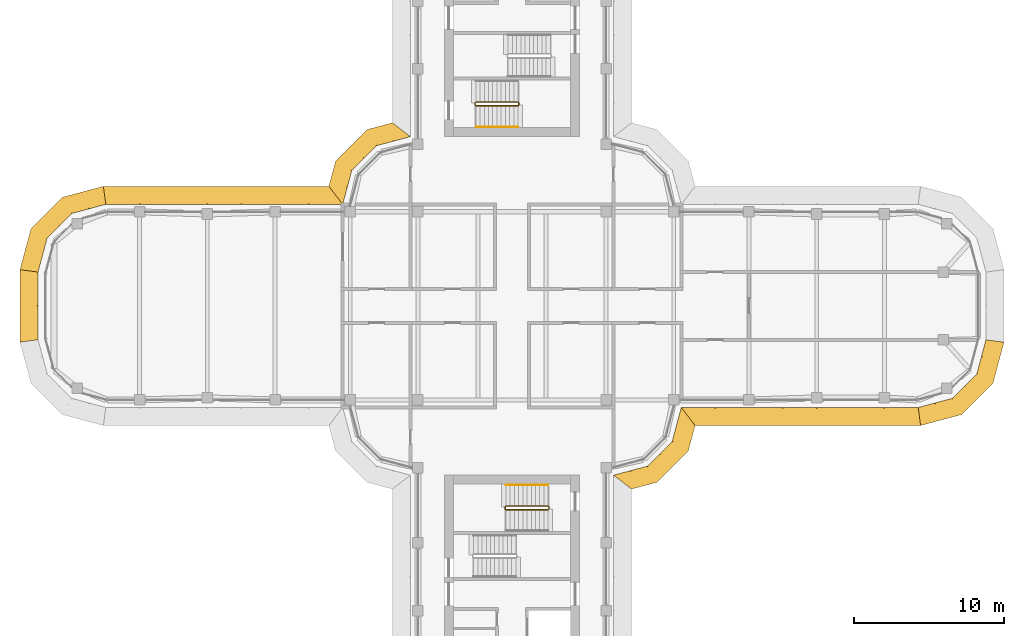
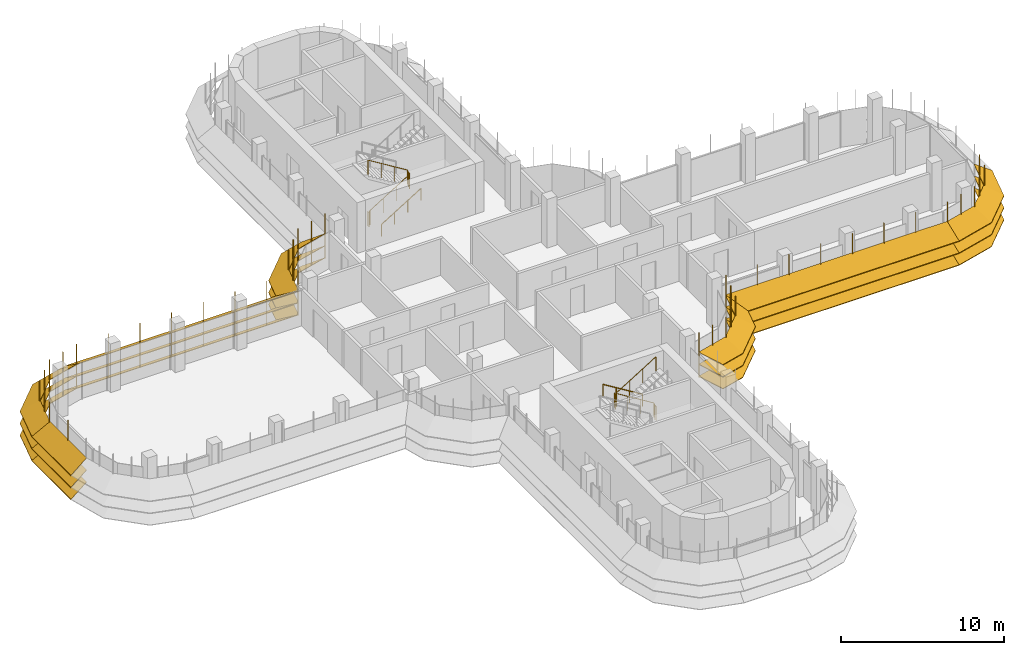
# One storey, part 17 of 19: 7 shading devices, 4 railings.
"""IFC4 building model written with IfcOpenShell, lengths in metres."""

from ifc_helpers import new_model, si_unit, direction, frame, origin, origin_2d, place, context, subcontext, project, spatial, polyline, circle, outline, extrude, faceted_brep, source, transform, mapped, material, type_object, element, save


model = new_model("IFC4")

# Units and contexts
model_context = context("Model", 3, precision=1e-05, world=origin(), true_north=direction((0.0, 1.0)))
body_context = subcontext(model_context, "Body", "Model", "MODEL_VIEW")
ifc_project = project(units=[si_unit("LENGTHUNIT", "METRE"), si_unit("AREAUNIT", "SQUARE_METRE"), si_unit("VOLUMEUNIT", "CUBIC_METRE"), si_unit("PLANEANGLEUNIT", "RADIAN"), si_unit("MASSUNIT", "GRAM", prefix="KILO")], contexts=[model_context])

# Site, building, storey
site_placement = place(None, origin())
site = spatial("IfcSite", under=ifc_project, at=site_placement, CompositionType="ELEMENT")
building_placement = place(site_placement, origin())
building = spatial("IfcBuilding", under=site, at=building_placement, Name="Zarbagh Exchange Tower", CompositionType="ELEMENT")
storey_placement = place(building_placement, frame((0.0, 0.0, 237.199951171875)))
storey = spatial("IfcBuildingStorey", under=building, at=storey_placement, Name="L58", CompositionType="ELEMENT", Elevation=237.199951171875)

# Railings
ifc_material_1 = material(Name="Stainless steel", Category="steel")
railing_type_1 = type_object("IfcRailingType", Name="Stair guard 1100 mm", PredefinedType="GUARDRAIL", material=ifc_material_1)
railing_1_placement = place(storey_placement, frame((-2.449951171875, 13.5, 0.0)))
element("IfcRailing", 1, at=railing_1_placement, inside=storey, type_object=railing_type_1, Name="ST2 stair guard 1", PredefinedType="GUARDRAIL", context=body_context, shape_type="SweptSolid", body=[
    extrude(circle(Radius=0.02392578125, at=origin_2d()), frame((0.0, 0.0, 1.076171875), z_axis=(0.0, -1.0, 0.0), x_axis=(1.0, 0.0, 0.0)), (0.0, 0.0, 1.0), 0.14990234375),
    extrude(circle(Radius=0.02392578125, at=origin_2d()), frame((0.0, -0.14990234375, 1.076171875), z_axis=(0.267953482034, -0.267953482034, 0.925419830635), x_axis=(0.707106781187, 0.707106781187, 0.0)), (0.0, 0.0, 1.0), 0.186767578125),
    extrude(circle(Radius=0.02392578125, at=origin_2d()), frame((0.050048828125, -0.199951171875, 1.2490234375), z_axis=(0.851069175582, 0.0, 0.525053576669), x_axis=(0.0, 1.0, 0.0)), (0.0, 0.0, 1.0), 3.289794921875),
    extrude(circle(Radius=0.02392578125, at=origin_2d()), frame((2.849853515625, -0.199951171875, 2.97607421875), z_axis=(0.707106781187, 0.707106781187, 0.0), x_axis=(-0.707106781187, 0.707106781187, 0.0)), (0.0, 0.0, 1.0), 0.07080078125),
    extrude(circle(Radius=0.02392578125, at=origin_2d()), frame((2.89990234375, -0.14990234375, 2.97607421875), z_axis=(0.0, 1.0, 0.0), x_axis=(-1.0, 0.0, 0.0)), (0.0, 0.0, 1.0), 0.14990234375),
    extrude(circle(Radius=0.02392578125, at=origin_2d()), frame((2.89990234375, 0.0, 2.97607421875), z_axis=(-0.268277960024, 0.268277960024, 0.925231793839), x_axis=(-0.707106781187, -0.707106781187, 0.0)), (0.0, 0.0, 1.0), 0.1865234375),
    extrude(circle(Radius=0.02392578125, at=origin_2d()), frame((2.849853515625, 0.050048828125, 3.14892578125), z_axis=(-0.851069175582, 0.0, 0.525053576669), x_axis=(0.0, -1.0, 0.0)), (0.0, 0.0, 1.0), 3.289794921875),
    extrude(circle(Radius=0.02099609375, at=origin_2d()), origin(), (0.0, 0.0, 1.0), 1.052001953125),
    extrude(circle(Radius=0.02099609375, at=origin_2d()), frame((0.0, -0.14990234375, 0.0)), (0.0, 0.0, 1.0), 1.052001953125),
    extrude(circle(Radius=0.02099609375, at=origin_2d()), frame((0.050048828125, -0.199951171875, 0.1728515625)), (0.0, 0.0, 1.0), 1.052001953125),
    extrude(circle(Radius=0.02099609375, at=origin_2d()), frame((0.9833984375, -0.199951171875, 0.74853515625)), (0.0, 0.0, 1.0), 1.052001953125),
    extrude(circle(Radius=0.02099609375, at=origin_2d()), frame((1.91650390625, -0.199951171875, 1.324462890625)), (0.0, 0.0, 1.0), 1.052001953125),
    extrude(circle(Radius=0.02099609375, at=origin_2d()), frame((2.849853515625, -0.199951171875, 1.900146484375)), (0.0, 0.0, 1.0), 1.052001953125),
    extrude(circle(Radius=0.02099609375, at=origin_2d()), frame((2.89990234375, -0.14990234375, 1.900146484375)), (0.0, 0.0, 1.0), 1.052001953125),
    extrude(circle(Radius=0.02099609375, at=origin_2d()), frame((2.89990234375, 0.0, 1.900146484375)), (0.0, 0.0, 1.0), 1.052001953125),
    extrude(circle(Radius=0.02099609375, at=origin_2d()), frame((2.849853515625, 0.050048828125, 2.07275390625)), (0.0, 0.0, 1.0), 1.052001953125),
    extrude(circle(Radius=0.02099609375, at=origin_2d()), frame((1.91650390625, 0.050048828125, 2.6484375)), (0.0, 0.0, 1.0), 1.052001953125),
    extrude(circle(Radius=0.02099609375, at=origin_2d()), frame((0.9833984375, 0.050048828125, 3.224365234375)), (0.0, 0.0, 1.0), 1.052001953125),
    extrude(circle(Radius=0.02099609375, at=origin_2d()), frame((0.050048828125, 0.050048828125, 3.800048828125)), (0.0, 0.0, 1.0), 1.052001953125),
])
railing_2_placement = place(storey_placement, frame((2.449951171875, -13.5, 0.0)))
element("IfcRailing", 2, at=railing_2_placement, inside=storey, type_object=railing_type_1, Name="ST4 stair guard 1", PredefinedType="GUARDRAIL", context=body_context, shape_type="SweptSolid", body=[
    extrude(circle(Radius=0.02392578125, at=origin_2d()), frame((0.0, 0.0, 1.076171875), z_axis=(0.0, 1.0, 0.0), x_axis=(-1.0, 0.0, 0.0)), (0.0, 0.0, 1.0), 0.14990234375),
    extrude(circle(Radius=0.02392578125, at=origin_2d()), frame((0.0, 0.14990234375, 1.076171875), z_axis=(-0.267953482034, 0.267953482034, 0.925419830635), x_axis=(-0.707106781187, -0.707106781187, 0.0)), (0.0, 0.0, 1.0), 0.186767578125),
    extrude(circle(Radius=0.02392578125, at=origin_2d()), frame((-0.050048828125, 0.199951171875, 1.2490234375), z_axis=(-0.851069175582, 0.0, 0.525053576669), x_axis=(0.0, -1.0, 0.0)), (0.0, 0.0, 1.0), 3.289794921875),
    extrude(circle(Radius=0.02392578125, at=origin_2d()), frame((-2.849853515625, 0.199951171875, 2.97607421875), z_axis=(-0.707106781187, -0.707106781187, 0.0), x_axis=(0.707106781187, -0.707106781187, 0.0)), (0.0, 0.0, 1.0), 0.07080078125),
    extrude(circle(Radius=0.02392578125, at=origin_2d()), frame((-2.89990234375, 0.14990234375, 2.97607421875), z_axis=(0.0, -1.0, 0.0), x_axis=(1.0, 0.0, 0.0)), (0.0, 0.0, 1.0), 0.14990234375),
    extrude(circle(Radius=0.02392578125, at=origin_2d()), frame((-2.89990234375, 0.0, 2.97607421875), z_axis=(0.268277960024, -0.268277960024, 0.925231793839), x_axis=(0.707106781187, 0.707106781187, 0.0)), (0.0, 0.0, 1.0), 0.1865234375),
    extrude(circle(Radius=0.02392578125, at=origin_2d()), frame((-2.849853515625, -0.050048828125, 3.14892578125), z_axis=(0.851069175582, 0.0, 0.525053576669), x_axis=(0.0, 1.0, 0.0)), (0.0, 0.0, 1.0), 3.289794921875),
    extrude(circle(Radius=0.02099609375, at=origin_2d()), origin(), (0.0, 0.0, 1.0), 1.052001953125),
    extrude(circle(Radius=0.02099609375, at=origin_2d()), frame((0.0, 0.14990234375, 0.0)), (0.0, 0.0, 1.0), 1.052001953125),
    extrude(circle(Radius=0.02099609375, at=origin_2d()), frame((-0.050048828125, 0.199951171875, 0.1728515625)), (0.0, 0.0, 1.0), 1.052001953125),
    extrude(circle(Radius=0.02099609375, at=origin_2d()), frame((-0.9833984375, 0.199951171875, 0.74853515625)), (0.0, 0.0, 1.0), 1.052001953125),
    extrude(circle(Radius=0.02099609375, at=origin_2d()), frame((-1.91650390625, 0.199951171875, 1.324462890625)), (0.0, 0.0, 1.0), 1.052001953125),
    extrude(circle(Radius=0.02099609375, at=origin_2d()), frame((-2.849853515625, 0.199951171875, 1.900146484375)), (0.0, 0.0, 1.0), 1.052001953125),
    extrude(circle(Radius=0.02099609375, at=origin_2d()), frame((-2.89990234375, 0.14990234375, 1.900146484375)), (0.0, 0.0, 1.0), 1.052001953125),
    extrude(circle(Radius=0.02099609375, at=origin_2d()), frame((-2.89990234375, 0.0, 1.900146484375)), (0.0, 0.0, 1.0), 1.052001953125),
    extrude(circle(Radius=0.02099609375, at=origin_2d()), frame((-2.849853515625, -0.050048828125, 2.07275390625)), (0.0, 0.0, 1.0), 1.052001953125),
    extrude(circle(Radius=0.02099609375, at=origin_2d()), frame((-1.91650390625, -0.050048828125, 2.6484375)), (0.0, 0.0, 1.0), 1.052001953125),
    extrude(circle(Radius=0.02099609375, at=origin_2d()), frame((-0.9833984375, -0.050048828125, 3.224365234375)), (0.0, 0.0, 1.0), 1.052001953125),
    extrude(circle(Radius=0.02099609375, at=origin_2d()), frame((-0.050048828125, -0.050048828125, 3.800048828125)), (0.0, 0.0, 1.0), 1.052001953125),
])
railing_type_2 = type_object("IfcRailingType", Name="Stair handrail 900 mm", PredefinedType="HANDRAIL", material=ifc_material_1)
railing_3_placement = place(storey_placement, frame((-2.39990234375, 11.89990234375, 0.1728515625)))
element("IfcRailing", 3, at=railing_3_placement, inside=storey, type_object=railing_type_2, Name="ST2 stair handrail 1", PredefinedType="HANDRAIL", context=body_context, shape_type="SweptSolid", body=[
    extrude(circle(Radius=0.02392578125, at=origin_2d()), frame((0.0, 0.0, 0.8759765625), z_axis=(0.851069175582, 0.0, 0.525053576669), x_axis=(0.0, 1.0, 0.0)), (0.0, 0.0, 1.0), 3.289794921875),
    extrude(circle(Radius=0.02099609375, at=origin_2d()), origin(), (0.0, 0.0, 1.0), 0.851806640625),
    extrude(circle(Radius=0.02099609375, at=origin_2d()), frame((0.933349609375, 0.0, 0.57568359375)), (0.0, 0.0, 1.0), 0.851806640625),
    extrude(circle(Radius=0.02099609375, at=origin_2d()), frame((1.866455078125, 0.0, 1.151611328125)), (0.0, 0.0, 1.0), 0.851806640625),
    extrude(circle(Radius=0.02099609375, at=origin_2d()), frame((2.7998046875, 0.0, 1.727294921875)), (0.0, 0.0, 1.0), 0.851806640625),
])
railing_4_placement = place(storey_placement, frame((2.39990234375, -11.89990234375, 0.1728515625)))
element("IfcRailing", 4, at=railing_4_placement, inside=storey, type_object=railing_type_2, Name="ST4 stair handrail 1", PredefinedType="HANDRAIL", context=body_context, shape_type="SweptSolid", body=[
    extrude(circle(Radius=0.02392578125, at=origin_2d()), frame((0.0, 0.0, 0.8759765625), z_axis=(-0.851069175582, 0.0, 0.525053576669), x_axis=(0.0, -1.0, 0.0)), (0.0, 0.0, 1.0), 3.289794921875),
    extrude(circle(Radius=0.02099609375, at=origin_2d()), origin(), (0.0, 0.0, 1.0), 0.851806640625),
    extrude(circle(Radius=0.02099609375, at=origin_2d()), frame((-0.933349609375, 0.0, 0.57568359375)), (0.0, 0.0, 1.0), 0.851806640625),
    extrude(circle(Radius=0.02099609375, at=origin_2d()), frame((-1.866455078125, 0.0, 1.151611328125)), (0.0, 0.0, 1.0), 0.851806640625),
    extrude(circle(Radius=0.02099609375, at=origin_2d()), frame((-2.7998046875, 0.0, 1.727294921875)), (0.0, 0.0, 1.0), 0.851806640625),
])

# Shading devices
ifc_material_2 = material(Name="Anodised aluminium blades and brackets", Category="aluminium")
shading_device_type = type_object("IfcShadingDeviceType", Name="SUNSHADE louvre band, 33.75 degree blades", PredefinedType="JALOUSIE", material=ifc_material_2)
shared_shape_1 = source(origin(), body_context, "Body", "Brep", [
    faceted_brep([(0.0, 0.0, 0.0), (0.0, 0.0, -0.048095703125), (-0.157958984375, -1.199951171875, -0.849853515625), (-0.157958984375, -1.199951171875, -0.8017578125), (2.65087890625, -1.199951171875, -0.8017578125), (2.65087890625, -1.199951171875, -0.849853515625), (2.329345703125, 0.0, -0.048095703125), (2.329345703125, 0.0, 0.0)], [[[0, 1, 2, 3]], [[4, 5, 6, 7]], [[0, 7, 6, 1]], [[1, 6, 5, 2]], [[2, 5, 4, 3]], [[3, 4, 7, 0]]]),
])
shared_shape_2 = source(origin(), body_context, "Body", "Brep", [
    faceted_brep([(0.0, 0.0, 0.0), (0.0, 0.0, -0.048095703125), (-0.321533203125, -1.199951171875, -0.849853515625), (-0.321533203125, -1.199951171875, -0.8017578125), (2.65087890625, -1.199951171875, -0.8017578125), (2.65087890625, -1.199951171875, -0.849853515625), (2.329345703125, 0.0, -0.048095703125), (2.329345703125, 0.0, 0.0)], [[[0, 1, 2, 3]], [[4, 5, 6, 7]], [[0, 7, 6, 1]], [[1, 6, 5, 2]], [[2, 5, 4, 3]], [[3, 4, 7, 0]]]),
])
shared_shape_3 = source(origin(), body_context, "Body", "Brep", [
    faceted_brep([(0.0, 0.0, 0.0), (0.0, 0.0, -0.048095703125), (-0.321533203125, -1.199951171875, -0.849853515625), (-0.321533203125, -1.199951171875, -0.8017578125), (2.4873046875, -1.199951171875, -0.8017578125), (2.4873046875, -1.199951171875, -0.849853515625), (2.329345703125, 0.0, -0.048095703125), (2.329345703125, 0.0, 0.0)], [[[0, 1, 2, 3]], [[4, 5, 6, 7]], [[0, 7, 6, 1]], [[1, 6, 5, 2]], [[2, 5, 4, 3]], [[3, 4, 7, 0]]]),
])
shared_shape_4 = source(origin(), body_context, "Body", "SweptSolid", [
    extrude(outline(polyline([(0.0, -0.012451171875), (0.06005859375, -0.012451171875), (0.06005859375, 0.012451171875), (0.0, 0.012451171875), (0.0, -0.012451171875)])), origin(), (0.0, 0.0, 1.0), 3.358154296875),
])
placement = place(storey_placement, origin())
element("IfcShadingDevice", 5, at=placement, inside=storey, type_object=shading_device_type, Name="SS31 sunshade band", PredefinedType="JALOUSIE", context=body_context, shape_type="MappedRepresentation", body=[
    mapped(shared_shape_1, transform((27.0, -6.75, 2.300048828125), x_axis=(0.965924289636, 0.258824779902, 0.0), y_axis=(-0.258824779902, 0.965924289636, 0.0), z_axis=(0.0, 0.0, 1.0))),
    mapped(shared_shape_1, transform((27.0, -6.75, 1.400146484375), x_axis=(0.965924289636, 0.258824779902, 0.0), y_axis=(-0.258824779902, 0.965924289636, 0.0), z_axis=(0.0, 0.0, 1.0))),
    mapped(shared_shape_1, transform((27.0, -6.75, 0.5), x_axis=(0.965924289636, 0.258824779902, 0.0), y_axis=(-0.258824779902, 0.965924289636, 0.0), z_axis=(0.0, 0.0, 1.0))),
    mapped(shared_shape_2, transform((29.25, -6.147216796875, 2.300048828125), x_axis=(0.707106781187, 0.707106781187, 0.0), y_axis=(-0.707106781187, 0.707106781187, 0.0), z_axis=(0.0, 0.0, 1.0))),
    mapped(shared_shape_2, transform((29.25, -6.147216796875, 1.400146484375), x_axis=(0.707106781187, 0.707106781187, 0.0), y_axis=(-0.707106781187, 0.707106781187, 0.0), z_axis=(0.0, 0.0, 1.0))),
    mapped(shared_shape_2, transform((29.25, -6.147216796875, 0.5), x_axis=(0.707106781187, 0.707106781187, 0.0), y_axis=(-0.707106781187, 0.707106781187, 0.0), z_axis=(0.0, 0.0, 1.0))),
    mapped(shared_shape_3, transform((30.897216796875, -4.5, 2.300048828125), x_axis=(0.258824779902, 0.965924289636, 0.0), y_axis=(-0.965924289636, 0.258824779902, 0.0), z_axis=(0.0, 0.0, 1.0))),
    mapped(shared_shape_3, transform((30.897216796875, -4.5, 1.400146484375), x_axis=(0.258824779902, 0.965924289636, 0.0), y_axis=(-0.965924289636, 0.258824779902, 0.0), z_axis=(0.0, 0.0, 1.0))),
    mapped(shared_shape_3, transform((30.897216796875, -4.5, 0.5), x_axis=(0.258824779902, 0.965924289636, 0.0), y_axis=(-0.965924289636, 0.258824779902, 0.0), z_axis=(0.0, 0.0, 1.0))),
    mapped(shared_shape_4, transform((27.0, -6.75, 0.421875), x_axis=(0.130529263012, -0.991444457092, 0.0), y_axis=(0.991444457092, 0.130529263012, 0.0), z_axis=(0.0, 0.0, 1.0))),
    mapped(shared_shape_4, transform((28.125, -6.448486328125, 0.421875), x_axis=(0.258825058029, -0.96592421511, 0.0), y_axis=(0.96592421511, 0.258825058029, 0.0), z_axis=(0.0, 0.0, 1.0))),
    mapped(shared_shape_4, transform((29.25, -6.147216796875, 0.421875), x_axis=(0.50000275701, -0.866023812018, 0.0), y_axis=(0.866023812018, 0.50000275701, 0.0), z_axis=(0.0, 0.0, 1.0))),
    mapped(shared_shape_4, transform((30.073486328125, -5.323486328125, 0.421875), x_axis=(0.707106781187, -0.707106781187, 0.0), y_axis=(0.707106781187, 0.707106781187, 0.0), z_axis=(0.0, 0.0, 1.0))),
    mapped(shared_shape_4, transform((30.897216796875, -4.5, 0.421875), x_axis=(0.866023812018, -0.50000275701, 0.0), y_axis=(0.50000275701, 0.866023812018, 0.0), z_axis=(0.0, 0.0, 1.0))),
    mapped(shared_shape_4, transform((31.198486328125, -3.375, 0.421875), x_axis=(0.96592421511, -0.258825058029, 0.0), y_axis=(0.258825058029, 0.96592421511, 0.0), z_axis=(0.0, 0.0, 1.0))),
])
element("IfcShadingDevice", 6, at=placement, inside=storey, type_object=shading_device_type, Name="SS41 sunshade band", PredefinedType="JALOUSIE", context=body_context, shape_type="MappedRepresentation", body=[
    mapped(shared_shape_1, transform((-27.0, 6.75, 2.300048828125), x_axis=(-0.965924289636, -0.258824779902, 0.0), y_axis=(0.258824779902, -0.965924289636, 0.0), z_axis=(0.0, 0.0, 1.0))),
    mapped(shared_shape_1, transform((-27.0, 6.75, 1.400146484375), x_axis=(-0.965924289636, -0.258824779902, 0.0), y_axis=(0.258824779902, -0.965924289636, 0.0), z_axis=(0.0, 0.0, 1.0))),
    mapped(shared_shape_1, transform((-27.0, 6.75, 0.5), x_axis=(-0.965924289636, -0.258824779902, 0.0), y_axis=(0.258824779902, -0.965924289636, 0.0), z_axis=(0.0, 0.0, 1.0))),
    mapped(shared_shape_2, transform((-29.25, 6.147216796875, 2.300048828125), x_axis=(-0.707106781187, -0.707106781187, 0.0), y_axis=(0.707106781187, -0.707106781187, 0.0), z_axis=(0.0, 0.0, 1.0))),
    mapped(shared_shape_2, transform((-29.25, 6.147216796875, 1.400146484375), x_axis=(-0.707106781187, -0.707106781187, 0.0), y_axis=(0.707106781187, -0.707106781187, 0.0), z_axis=(0.0, 0.0, 1.0))),
    mapped(shared_shape_2, transform((-29.25, 6.147216796875, 0.5), x_axis=(-0.707106781187, -0.707106781187, 0.0), y_axis=(0.707106781187, -0.707106781187, 0.0), z_axis=(0.0, 0.0, 1.0))),
    mapped(shared_shape_3, transform((-30.897216796875, 4.5, 2.300048828125), x_axis=(-0.258824779902, -0.965924289636, 0.0), y_axis=(0.965924289636, -0.258824779902, 0.0), z_axis=(0.0, 0.0, 1.0))),
    mapped(shared_shape_3, transform((-30.897216796875, 4.5, 1.400146484375), x_axis=(-0.258824779902, -0.965924289636, 0.0), y_axis=(0.965924289636, -0.258824779902, 0.0), z_axis=(0.0, 0.0, 1.0))),
    mapped(shared_shape_3, transform((-30.897216796875, 4.5, 0.5), x_axis=(-0.258824779902, -0.965924289636, 0.0), y_axis=(0.965924289636, -0.258824779902, 0.0), z_axis=(0.0, 0.0, 1.0))),
    mapped(shared_shape_4, transform((-27.0, 6.75, 0.421875), x_axis=(-0.130529263012, 0.991444457092, 0.0), y_axis=(-0.991444457092, -0.130529263012, 0.0), z_axis=(0.0, 0.0, 1.0))),
    mapped(shared_shape_4, transform((-28.125, 6.448486328125, 0.421875), x_axis=(-0.258825058029, 0.96592421511, 0.0), y_axis=(-0.96592421511, -0.258825058029, 0.0), z_axis=(0.0, 0.0, 1.0))),
    mapped(shared_shape_4, transform((-29.25, 6.147216796875, 0.421875), x_axis=(-0.50000275701, 0.866023812018, 0.0), y_axis=(-0.866023812018, -0.50000275701, 0.0), z_axis=(0.0, 0.0, 1.0))),
    mapped(shared_shape_4, transform((-30.073486328125, 5.323486328125, 0.421875), x_axis=(-0.707106781187, 0.707106781187, 0.0), y_axis=(-0.707106781187, -0.707106781187, 0.0), z_axis=(0.0, 0.0, 1.0))),
    mapped(shared_shape_4, transform((-30.897216796875, 4.5, 0.421875), x_axis=(-0.866023812018, 0.50000275701, 0.0), y_axis=(-0.50000275701, -0.866023812018, 0.0), z_axis=(0.0, 0.0, 1.0))),
    mapped(shared_shape_4, transform((-31.198486328125, 3.375, 0.421875), x_axis=(-0.96592421511, 0.258825058029, 0.0), y_axis=(-0.258825058029, -0.96592421511, 0.0), z_axis=(0.0, 0.0, 1.0))),
])
shared_shape_5 = source(origin(), body_context, "Body", "Brep", [
    faceted_brep([(0.0, 0.0, 0.0), (0.0, 0.0, -0.048095703125), (0.9208984375, -1.199951171875, -0.849853515625), (0.9208984375, -1.199951171875, -0.8017578125), (2.65087890625, -1.199951171875, -0.8017578125), (2.65087890625, -1.199951171875, -0.849853515625), (2.329345703125, 0.0, -0.048095703125), (2.329345703125, 0.0, 0.0)], [[[0, 1, 2, 3]], [[4, 5, 6, 7]], [[0, 7, 6, 1]], [[1, 6, 5, 2]], [[2, 5, 4, 3]], [[3, 4, 7, 0]]]),
])
shared_shape_6 = source(origin(), body_context, "Body", "Brep", [
    faceted_brep([(0.0, 0.0, 0.0), (0.0, 0.0, -0.048095703125), (-0.321533203125, -1.199951171875, -0.849853515625), (-0.321533203125, -1.199951171875, -0.8017578125), (1.40869140625, -1.199951171875, -0.8017578125), (1.40869140625, -1.199951171875, -0.849853515625), (2.329345703125, 0.0, -0.048095703125), (2.329345703125, 0.0, 0.0)], [[[0, 1, 2, 3]], [[4, 5, 6, 7]], [[0, 7, 6, 1]], [[1, 6, 5, 2]], [[2, 5, 4, 3]], [[3, 4, 7, 0]]]),
])
element("IfcShadingDevice", 7, at=placement, inside=storey, type_object=shading_device_type, Name="SS03 sunshade band", PredefinedType="JALOUSIE", context=body_context, shape_type="MappedRepresentation", body=[
    mapped(shared_shape_5, transform((6.75, -11.25, 2.300048828125), x_axis=(0.965924289636, 0.258824779902, 0.0), y_axis=(-0.258824779902, 0.965924289636, 0.0), z_axis=(0.0, 0.0, 1.0))),
    mapped(shared_shape_5, transform((6.75, -11.25, 1.400146484375), x_axis=(0.965924289636, 0.258824779902, 0.0), y_axis=(-0.258824779902, 0.965924289636, 0.0), z_axis=(0.0, 0.0, 1.0))),
    mapped(shared_shape_5, transform((6.75, -11.25, 0.5), x_axis=(0.965924289636, 0.258824779902, 0.0), y_axis=(-0.258824779902, 0.965924289636, 0.0), z_axis=(0.0, 0.0, 1.0))),
    mapped(shared_shape_2, transform((9.0, -10.647216796875, 2.300048828125), x_axis=(0.707106781187, 0.707106781187, 0.0), y_axis=(-0.707106781187, 0.707106781187, 0.0), z_axis=(0.0, 0.0, 1.0))),
    mapped(shared_shape_2, transform((9.0, -10.647216796875, 1.400146484375), x_axis=(0.707106781187, 0.707106781187, 0.0), y_axis=(-0.707106781187, 0.707106781187, 0.0), z_axis=(0.0, 0.0, 1.0))),
    mapped(shared_shape_2, transform((9.0, -10.647216796875, 0.5), x_axis=(0.707106781187, 0.707106781187, 0.0), y_axis=(-0.707106781187, 0.707106781187, 0.0), z_axis=(0.0, 0.0, 1.0))),
    mapped(shared_shape_6, transform((10.647216796875, -9.0, 2.300048828125), x_axis=(0.258824779902, 0.965924289636, 0.0), y_axis=(-0.965924289636, 0.258824779902, 0.0), z_axis=(0.0, 0.0, 1.0))),
    mapped(shared_shape_6, transform((10.647216796875, -9.0, 1.400146484375), x_axis=(0.258824779902, 0.965924289636, 0.0), y_axis=(-0.965924289636, 0.258824779902, 0.0), z_axis=(0.0, 0.0, 1.0))),
    mapped(shared_shape_6, transform((10.647216796875, -9.0, 0.5), x_axis=(0.258824779902, 0.965924289636, 0.0), y_axis=(-0.965924289636, 0.258824779902, 0.0), z_axis=(0.0, 0.0, 1.0))),
    mapped(shared_shape_4, transform((6.75, -11.25, 0.421875), x_axis=(0.793355287, -0.608758892, 0.0), y_axis=(0.608758892, 0.793355287, 0.0), z_axis=(0.0, 0.0, 1.0))),
    mapped(shared_shape_4, transform((7.875, -10.948486328125, 0.421875), x_axis=(0.258825058029, -0.96592421511, 0.0), y_axis=(0.96592421511, 0.258825058029, 0.0), z_axis=(0.0, 0.0, 1.0))),
    mapped(shared_shape_4, transform((9.0, -10.647216796875, 0.421875), x_axis=(0.50000275701, -0.866023812018, 0.0), y_axis=(0.866023812018, 0.50000275701, 0.0), z_axis=(0.0, 0.0, 1.0))),
    mapped(shared_shape_4, transform((9.823486328125, -9.823486328125, 0.421875), x_axis=(0.707106781187, -0.707106781187, 0.0), y_axis=(0.707106781187, 0.707106781187, 0.0), z_axis=(0.0, 0.0, 1.0))),
    mapped(shared_shape_4, transform((10.647216796875, -9.0, 0.421875), x_axis=(0.866023812018, -0.50000275701, 0.0), y_axis=(0.50000275701, 0.866023812018, 0.0), z_axis=(0.0, 0.0, 1.0))),
    mapped(shared_shape_4, transform((10.948486328125, -7.875, 0.421875), x_axis=(0.96592421511, -0.258825058029, 0.0), y_axis=(0.258825058029, 0.96592421511, 0.0), z_axis=(0.0, 0.0, 1.0))),
])
element("IfcShadingDevice", 8, at=placement, inside=storey, type_object=shading_device_type, Name="SS15 sunshade band", PredefinedType="JALOUSIE", context=body_context, shape_type="MappedRepresentation", body=[
    mapped(shared_shape_5, transform((-6.75, 11.25, 2.300048828125), x_axis=(-0.965924289636, -0.258824779902, 0.0), y_axis=(0.258824779902, -0.965924289636, 0.0), z_axis=(0.0, 0.0, 1.0))),
    mapped(shared_shape_5, transform((-6.75, 11.25, 1.400146484375), x_axis=(-0.965924289636, -0.258824779902, 0.0), y_axis=(0.258824779902, -0.965924289636, 0.0), z_axis=(0.0, 0.0, 1.0))),
    mapped(shared_shape_5, transform((-6.75, 11.25, 0.5), x_axis=(-0.965924289636, -0.258824779902, 0.0), y_axis=(0.258824779902, -0.965924289636, 0.0), z_axis=(0.0, 0.0, 1.0))),
    mapped(shared_shape_2, transform((-9.0, 10.647216796875, 2.300048828125), x_axis=(-0.707106781187, -0.707106781187, 0.0), y_axis=(0.707106781187, -0.707106781187, 0.0), z_axis=(0.0, 0.0, 1.0))),
    mapped(shared_shape_2, transform((-9.0, 10.647216796875, 1.400146484375), x_axis=(-0.707106781187, -0.707106781187, 0.0), y_axis=(0.707106781187, -0.707106781187, 0.0), z_axis=(0.0, 0.0, 1.0))),
    mapped(shared_shape_2, transform((-9.0, 10.647216796875, 0.5), x_axis=(-0.707106781187, -0.707106781187, 0.0), y_axis=(0.707106781187, -0.707106781187, 0.0), z_axis=(0.0, 0.0, 1.0))),
    mapped(shared_shape_6, transform((-10.647216796875, 9.0, 2.300048828125), x_axis=(-0.258824779902, -0.965924289636, 0.0), y_axis=(0.965924289636, -0.258824779902, 0.0), z_axis=(0.0, 0.0, 1.0))),
    mapped(shared_shape_6, transform((-10.647216796875, 9.0, 1.400146484375), x_axis=(-0.258824779902, -0.965924289636, 0.0), y_axis=(0.965924289636, -0.258824779902, 0.0), z_axis=(0.0, 0.0, 1.0))),
    mapped(shared_shape_6, transform((-10.647216796875, 9.0, 0.5), x_axis=(-0.258824779902, -0.965924289636, 0.0), y_axis=(0.965924289636, -0.258824779902, 0.0), z_axis=(0.0, 0.0, 1.0))),
    mapped(shared_shape_4, transform((-6.75, 11.25, 0.421875), x_axis=(-0.793355287, 0.608758892, 0.0), y_axis=(-0.608758892, -0.793355287, 0.0), z_axis=(0.0, 0.0, 1.0))),
    mapped(shared_shape_4, transform((-7.875, 10.948486328125, 0.421875), x_axis=(-0.258825058029, 0.96592421511, 0.0), y_axis=(-0.96592421511, -0.258825058029, 0.0), z_axis=(0.0, 0.0, 1.0))),
    mapped(shared_shape_4, transform((-9.0, 10.647216796875, 0.421875), x_axis=(-0.50000275701, 0.866023812018, 0.0), y_axis=(-0.866023812018, -0.50000275701, 0.0), z_axis=(0.0, 0.0, 1.0))),
    mapped(shared_shape_4, transform((-9.823486328125, 9.823486328125, 0.421875), x_axis=(-0.707106781187, 0.707106781187, 0.0), y_axis=(-0.707106781187, -0.707106781187, 0.0), z_axis=(0.0, 0.0, 1.0))),
    mapped(shared_shape_4, transform((-10.647216796875, 9.0, 0.421875), x_axis=(-0.866023812018, 0.50000275701, 0.0), y_axis=(-0.50000275701, -0.866023812018, 0.0), z_axis=(0.0, 0.0, 1.0))),
    mapped(shared_shape_4, transform((-10.948486328125, 7.875, 0.421875), x_axis=(-0.96592421511, 0.258825058029, 0.0), y_axis=(-0.258825058029, -0.96592421511, 0.0), z_axis=(0.0, 0.0, 1.0))),
])
shared_shape_7 = source(origin(), body_context, "Body", "Brep", [
    faceted_brep([(0.0, 0.0, 0.0), (0.0, 0.0, -0.048095703125), (0.9208984375, -1.199951171875, -0.849853515625), (0.9208984375, -1.199951171875, -0.8017578125), (15.907958984375, -1.199951171875, -0.8017578125), (15.907958984375, -1.199951171875, -0.849853515625), (15.75, 0.0, -0.048095703125), (15.75, 0.0, 0.0)], [[[0, 1, 2, 3]], [[4, 5, 6, 7]], [[0, 7, 6, 1]], [[1, 6, 5, 2]], [[2, 5, 4, 3]], [[3, 4, 7, 0]]]),
])
element("IfcShadingDevice", 9, at=placement, inside=storey, type_object=shading_device_type, Name="SS30 sunshade band", PredefinedType="JALOUSIE", context=body_context, shape_type="MappedRepresentation", body=[
    mapped(shared_shape_7, transform((11.25, -6.75, 2.300048828125), x_axis=(1.0, 0.0, 0.0), y_axis=(0.0, 1.0, 0.0), z_axis=(0.0, 0.0, 1.0))),
    mapped(shared_shape_7, transform((11.25, -6.75, 1.400146484375), x_axis=(1.0, 0.0, 0.0), y_axis=(0.0, 1.0, 0.0), z_axis=(0.0, 0.0, 1.0))),
    mapped(shared_shape_7, transform((11.25, -6.75, 0.5), x_axis=(1.0, 0.0, 0.0), y_axis=(0.0, 1.0, 0.0), z_axis=(0.0, 0.0, 1.0))),
    mapped(shared_shape_4, transform((11.25, -6.75, 0.421875), x_axis=(0.608758892, -0.793355287, 0.0), y_axis=(0.793355287, 0.608758892, 0.0), z_axis=(0.0, 0.0, 1.0))),
    mapped(shared_shape_4, transform((13.5, -6.75, 0.421875), x_axis=(0.0, -1.0, 0.0), y_axis=(1.0, 0.0, 0.0), z_axis=(0.0, 0.0, 1.0))),
    mapped(shared_shape_4, transform((15.75, -6.75, 0.421875), x_axis=(0.0, -1.0, 0.0), y_axis=(1.0, 0.0, 0.0), z_axis=(0.0, 0.0, 1.0))),
    mapped(shared_shape_4, transform((18.0, -6.75, 0.421875), x_axis=(0.0, -1.0, 0.0), y_axis=(1.0, 0.0, 0.0), z_axis=(0.0, 0.0, 1.0))),
    mapped(shared_shape_4, transform((20.25, -6.75, 0.421875), x_axis=(0.0, -1.0, 0.0), y_axis=(1.0, 0.0, 0.0), z_axis=(0.0, 0.0, 1.0))),
    mapped(shared_shape_4, transform((22.5, -6.75, 0.421875), x_axis=(0.0, -1.0, 0.0), y_axis=(1.0, 0.0, 0.0), z_axis=(0.0, 0.0, 1.0))),
    mapped(shared_shape_4, transform((24.75, -6.75, 0.421875), x_axis=(0.0, -1.0, 0.0), y_axis=(1.0, 0.0, 0.0), z_axis=(0.0, 0.0, 1.0))),
])
element("IfcShadingDevice", 10, at=placement, inside=storey, type_object=shading_device_type, Name="SS40 sunshade band", PredefinedType="JALOUSIE", context=body_context, shape_type="MappedRepresentation", body=[
    mapped(shared_shape_7, transform((-11.25, 6.75, 2.300048828125), x_axis=(-1.0, 0.0, 0.0), y_axis=(0.0, -1.0, 0.0), z_axis=(0.0, 0.0, 1.0))),
    mapped(shared_shape_7, transform((-11.25, 6.75, 1.400146484375), x_axis=(-1.0, 0.0, 0.0), y_axis=(0.0, -1.0, 0.0), z_axis=(0.0, 0.0, 1.0))),
    mapped(shared_shape_7, transform((-11.25, 6.75, 0.5), x_axis=(-1.0, 0.0, 0.0), y_axis=(0.0, -1.0, 0.0), z_axis=(0.0, 0.0, 1.0))),
    mapped(shared_shape_4, transform((-11.25, 6.75, 0.421875), x_axis=(-0.608758892, 0.793355287, 0.0), y_axis=(-0.793355287, -0.608758892, 0.0), z_axis=(0.0, 0.0, 1.0))),
    mapped(shared_shape_4, transform((-13.5, 6.75, 0.421875), x_axis=(0.0, 1.0, 0.0), y_axis=(-1.0, 0.0, 0.0), z_axis=(0.0, 0.0, 1.0))),
    mapped(shared_shape_4, transform((-15.75, 6.75, 0.421875), x_axis=(0.0, 1.0, 0.0), y_axis=(-1.0, 0.0, 0.0), z_axis=(0.0, 0.0, 1.0))),
    mapped(shared_shape_4, transform((-18.0, 6.75, 0.421875), x_axis=(0.0, 1.0, 0.0), y_axis=(-1.0, 0.0, 0.0), z_axis=(0.0, 0.0, 1.0))),
    mapped(shared_shape_4, transform((-20.25, 6.75, 0.421875), x_axis=(0.0, 1.0, 0.0), y_axis=(-1.0, 0.0, 0.0), z_axis=(0.0, 0.0, 1.0))),
    mapped(shared_shape_4, transform((-22.5, 6.75, 0.421875), x_axis=(0.0, 1.0, 0.0), y_axis=(-1.0, 0.0, 0.0), z_axis=(0.0, 0.0, 1.0))),
    mapped(shared_shape_4, transform((-24.75, 6.75, 0.421875), x_axis=(0.0, 1.0, 0.0), y_axis=(-1.0, 0.0, 0.0), z_axis=(0.0, 0.0, 1.0))),
])
shared_shape_8 = source(origin(), body_context, "Body", "Brep", [
    faceted_brep([(0.0, 0.0, 0.0), (0.0, 0.0, -0.048095703125), (-0.157958984375, -1.199951171875, -0.849853515625), (-0.157958984375, -1.199951171875, -0.8017578125), (4.657958984375, -1.199951171875, -0.8017578125), (4.657958984375, -1.199951171875, -0.849853515625), (4.5, 0.0, -0.048095703125), (4.5, 0.0, 0.0)], [[[0, 1, 2, 3]], [[4, 5, 6, 7]], [[0, 7, 6, 1]], [[1, 6, 5, 2]], [[2, 5, 4, 3]], [[3, 4, 7, 0]]]),
])
element("IfcShadingDevice", 11, at=placement, inside=storey, type_object=shading_device_type, Name="SS42 sunshade band", PredefinedType="JALOUSIE", context=body_context, shape_type="MappedRepresentation", body=[
    mapped(shared_shape_8, transform((-31.5, 2.25, 2.300048828125), x_axis=(0.0, -1.0, 0.0), y_axis=(1.0, 0.0, 0.0), z_axis=(0.0, 0.0, 1.0))),
    mapped(shared_shape_8, transform((-31.5, 2.25, 1.400146484375), x_axis=(0.0, -1.0, 0.0), y_axis=(1.0, 0.0, 0.0), z_axis=(0.0, 0.0, 1.0))),
    mapped(shared_shape_8, transform((-31.5, 2.25, 0.5), x_axis=(0.0, -1.0, 0.0), y_axis=(1.0, 0.0, 0.0), z_axis=(0.0, 0.0, 1.0))),
    mapped(shared_shape_4, transform((-31.5, 2.25, 0.421875), x_axis=(-0.991444457092, 0.130529263012, 0.0), y_axis=(-0.130529263012, -0.991444457092, 0.0), z_axis=(0.0, 0.0, 1.0))),
    mapped(shared_shape_4, transform((-31.5, 0.0, 0.421875), x_axis=(-1.0, 0.0, 0.0), y_axis=(0.0, -1.0, 0.0), z_axis=(0.0, 0.0, 1.0))),
])

save(model, "model.ifc")
